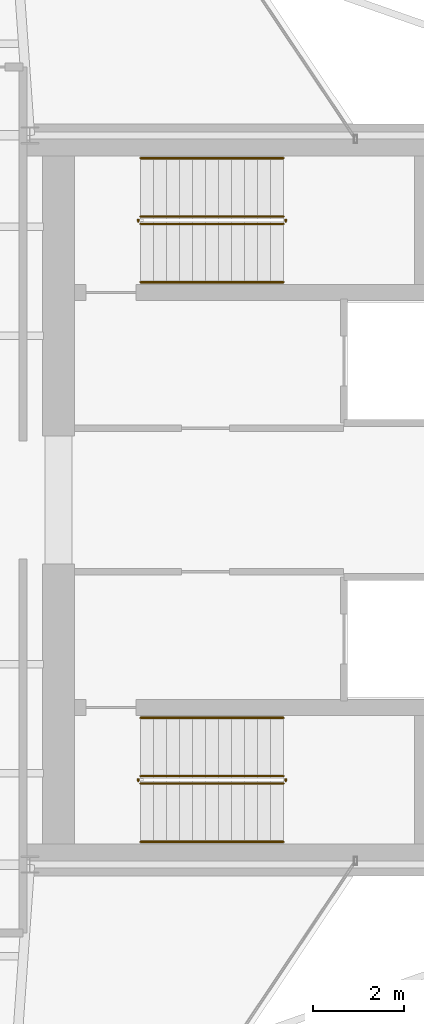
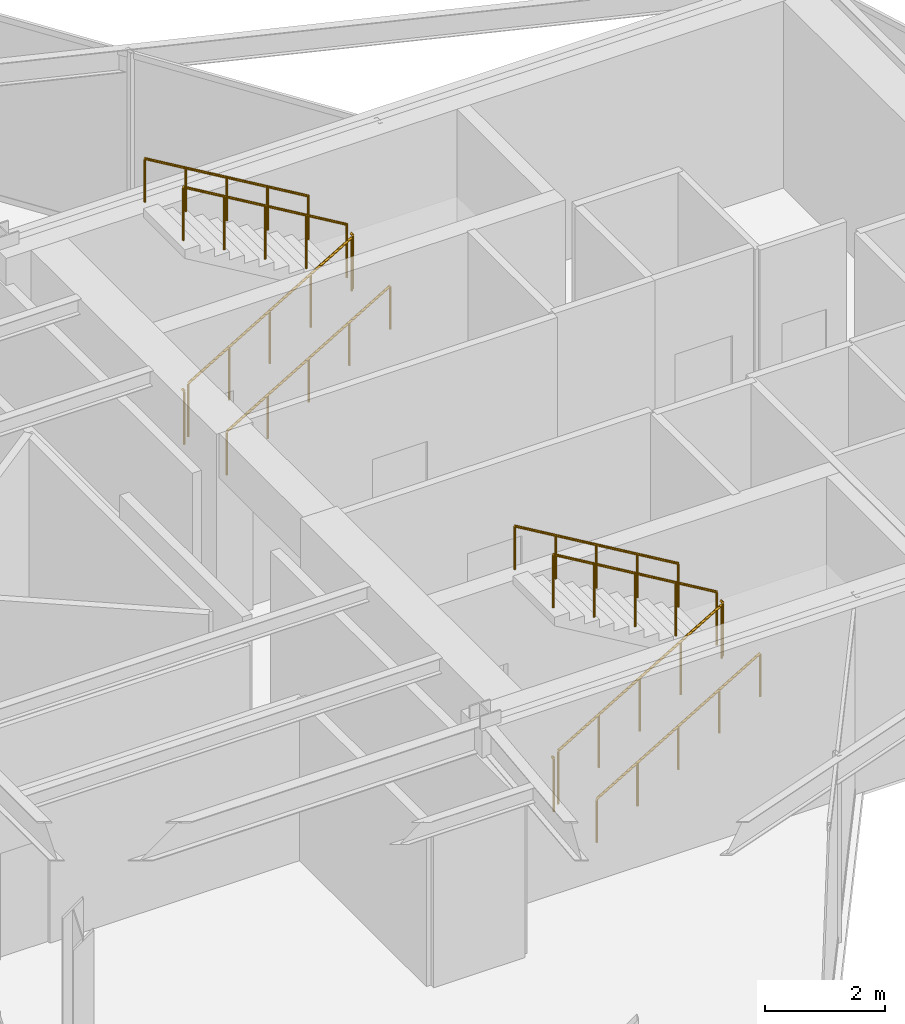
# One storey, part 22 of 22: 12 railings.
"""IFC4 building model written with IfcOpenShell, lengths in metres."""

from ifc_helpers import new_model, si_unit, direction, frame, origin, origin_2d, place, context, subcontext, project, spatial, circle, extrude, material, type_object, element, save


model = new_model("IFC4")

# Units and contexts
model_context = context("Model", 3, precision=1e-05, world=origin(), true_north=direction((0.0, 1.0)))
body_context = subcontext(model_context, "Body", "Model", "MODEL_VIEW")
ifc_project = project(units=[si_unit("LENGTHUNIT", "METRE"), si_unit("AREAUNIT", "SQUARE_METRE"), si_unit("VOLUMEUNIT", "CUBIC_METRE"), si_unit("PLANEANGLEUNIT", "RADIAN"), si_unit("MASSUNIT", "GRAM", prefix="KILO")], contexts=[model_context])

# Site, building, storey
site_placement = place(None, origin())
site = spatial("IfcSite", under=ifc_project, at=site_placement, CompositionType="ELEMENT")
building_placement = place(site_placement, origin())
building = spatial("IfcBuilding", under=site, at=building_placement, Name="Veymaron Broadcast Tower", CompositionType="ELEMENT")
storey_placement = place(building_placement, frame((0.0, 0.0, 204.0)))
storey = spatial("IfcBuildingStorey", under=building, at=storey_placement, Name="L47", CompositionType="ELEMENT", Elevation=204.0)

# Railings
ifc_material_1 = material(Name="Brushed stainless steel AISI 304", Category="steel")
railing_type_1 = type_object("IfcRailingType", Name="RAIL-STAIR-HR", PredefinedType="HANDRAIL", material=ifc_material_1)
railing_1_placement = place(storey_placement, frame((41.429931640625, 28.780029296875, 0.168701171875)))
element("IfcRailing", 1, at=railing_1_placement, inside=storey, type_object=railing_type_1, Name="L47 ST1 stair handrail 1", PredefinedType="HANDRAIL", context=body_context, shape_type="SweptSolid", body=[
    extrude(circle(Radius=0.02392578125, at=origin_2d()), frame((0.0, 0.0, 0.8759765625), z_axis=(0.860481960309, 0.0, 0.509480908359), x_axis=(0.0, 1.0, 0.0)), (0.0, 0.0, 1.0), 3.643310546875),
    extrude(circle(Radius=0.02099609375, at=origin_2d()), origin(), (0.0, 0.0, 1.0), 0.851806640625),
    extrude(circle(Radius=0.02099609375, at=origin_2d()), frame((0.78369140625, 0.0, 0.464111328125)), (0.0, 0.0, 1.0), 0.851806640625),
    extrude(circle(Radius=0.02099609375, at=origin_2d()), frame((1.5673828125, 0.0, 0.92822265625)), (0.0, 0.0, 1.0), 0.851806640625),
    extrude(circle(Radius=0.02099609375, at=origin_2d()), frame((2.351318359375, 0.0, 1.39208984375)), (0.0, 0.0, 1.0), 0.851806640625),
    extrude(circle(Radius=0.02099609375, at=origin_2d()), frame((3.135009765625, 0.0, 1.856201171875)), (0.0, 0.0, 1.0), 0.851806640625),
])
railing_2_placement = place(storey_placement, frame((44.56494140625, 31.5, 2.19384765625)))
element("IfcRailing", 2, at=railing_2_placement, inside=storey, type_object=railing_type_1, Name="L47 ST1 stair handrail 2", PredefinedType="HANDRAIL", context=body_context, shape_type="SweptSolid", body=[
    extrude(circle(Radius=0.02392578125, at=origin_2d()), frame((0.0, 0.0, 0.8759765625), z_axis=(-0.860481960309, 0.0, 0.509480908359), x_axis=(0.0, -1.0, 0.0)), (0.0, 0.0, 1.0), 3.643310546875),
    extrude(circle(Radius=0.02099609375, at=origin_2d()), origin(), (0.0, 0.0, 1.0), 0.851806640625),
    extrude(circle(Radius=0.02099609375, at=origin_2d()), frame((-0.78369140625, 0.0, 0.464111328125)), (0.0, 0.0, 1.0), 0.851806640625),
    extrude(circle(Radius=0.02099609375, at=origin_2d()), frame((-1.5673828125, 0.0, 0.92822265625)), (0.0, 0.0, 1.0), 0.851806640625),
    extrude(circle(Radius=0.02099609375, at=origin_2d()), frame((-2.351318359375, 0.0, 1.39208984375)), (0.0, 0.0, 1.0), 0.851806640625),
    extrude(circle(Radius=0.02099609375, at=origin_2d()), frame((-3.135009765625, 0.0, 1.856201171875)), (0.0, 0.0, 1.0), 0.851806640625),
])
railing_3_placement = place(storey_placement, frame((41.429931640625, 16.5, 0.168701171875)))
element("IfcRailing", 3, at=railing_3_placement, inside=storey, type_object=railing_type_1, Name="L47 ST2 stair handrail 1", PredefinedType="HANDRAIL", context=body_context, shape_type="SweptSolid", body=[
    extrude(circle(Radius=0.02392578125, at=origin_2d()), frame((0.0, 0.0, 0.8759765625), z_axis=(0.860481960309, 0.0, 0.509480908359), x_axis=(0.0, 1.0, 0.0)), (0.0, 0.0, 1.0), 3.643310546875),
    extrude(circle(Radius=0.02099609375, at=origin_2d()), origin(), (0.0, 0.0, 1.0), 0.851806640625),
    extrude(circle(Radius=0.02099609375, at=origin_2d()), frame((0.78369140625, 0.0, 0.464111328125)), (0.0, 0.0, 1.0), 0.851806640625),
    extrude(circle(Radius=0.02099609375, at=origin_2d()), frame((1.5673828125, 0.0, 0.92822265625)), (0.0, 0.0, 1.0), 0.851806640625),
    extrude(circle(Radius=0.02099609375, at=origin_2d()), frame((2.351318359375, 0.0, 1.39208984375)), (0.0, 0.0, 1.0), 0.851806640625),
    extrude(circle(Radius=0.02099609375, at=origin_2d()), frame((3.135009765625, 0.0, 1.856201171875)), (0.0, 0.0, 1.0), 0.851806640625),
])
railing_4_placement = place(storey_placement, frame((44.56494140625, 19.219970703125, 2.19384765625)))
element("IfcRailing", 4, at=railing_4_placement, inside=storey, type_object=railing_type_1, Name="L47 ST2 stair handrail 2", PredefinedType="HANDRAIL", context=body_context, shape_type="SweptSolid", body=[
    extrude(circle(Radius=0.02392578125, at=origin_2d()), frame((0.0, 0.0, 0.8759765625), z_axis=(-0.860481960309, 0.0, 0.509480908359), x_axis=(0.0, -1.0, 0.0)), (0.0, 0.0, 1.0), 3.643310546875),
    extrude(circle(Radius=0.02099609375, at=origin_2d()), origin(), (0.0, 0.0, 1.0), 0.851806640625),
    extrude(circle(Radius=0.02099609375, at=origin_2d()), frame((-0.78369140625, 0.0, 0.464111328125)), (0.0, 0.0, 1.0), 0.851806640625),
    extrude(circle(Radius=0.02099609375, at=origin_2d()), frame((-1.5673828125, 0.0, 0.92822265625)), (0.0, 0.0, 1.0), 0.851806640625),
    extrude(circle(Radius=0.02099609375, at=origin_2d()), frame((-2.351318359375, 0.0, 1.39208984375)), (0.0, 0.0, 1.0), 0.851806640625),
    extrude(circle(Radius=0.02099609375, at=origin_2d()), frame((-3.135009765625, 0.0, 1.856201171875)), (0.0, 0.0, 1.0), 0.851806640625),
])
ifc_material_2 = material(Name="Painted galvanized steel balustrade", Category="steel")
railing_type_2 = type_object("IfcRailingType", Name="RAIL-WELL-GRD", PredefinedType="GUARDRAIL", material=ifc_material_2)
railing_5_placement = place(storey_placement, frame((41.429931640625, 30.06005859375, 0.168701171875)))
element("IfcRailing", 5, at=railing_5_placement, inside=storey, type_object=railing_type_2, Name="L47 ST1 stair guard 1", PredefinedType="GUARDRAIL", context=body_context, shape_type="SweptSolid", body=[
    extrude(circle(Radius=0.02392578125, at=origin_2d()), frame((0.0, 0.0, 1.076171875), z_axis=(0.860481960309, 0.0, 0.509480908359), x_axis=(0.0, 1.0, 0.0)), (0.0, 0.0, 1.0), 3.643310546875),
    extrude(circle(Radius=0.02099609375, at=origin_2d()), origin(), (0.0, 0.0, 1.0), 1.052001953125),
    extrude(circle(Radius=0.02099609375, at=origin_2d()), frame((0.78369140625, 0.0, 0.464111328125)), (0.0, 0.0, 1.0), 1.052001953125),
    extrude(circle(Radius=0.02099609375, at=origin_2d()), frame((1.5673828125, 0.0, 0.92822265625)), (0.0, 0.0, 1.0), 1.052001953125),
    extrude(circle(Radius=0.02099609375, at=origin_2d()), frame((2.351318359375, 0.0, 1.39208984375)), (0.0, 0.0, 1.0), 1.052001953125),
    extrude(circle(Radius=0.02099609375, at=origin_2d()), frame((3.135009765625, 0.0, 1.856201171875)), (0.0, 0.0, 1.0), 1.052001953125),
])
railing_6_placement = place(storey_placement, frame((44.614990234375, 30.110107421875, 2.02490234375)))
element("IfcRailing", 6, at=railing_6_placement, inside=storey, type_object=railing_type_2, Name="L47 ST1 stair guard 2", PredefinedType="GUARDRAIL", context=body_context, shape_type="SweptSolid", body=[
    extrude(circle(Radius=0.02392578125, at=origin_2d()), frame((0.0, 0.0, 1.076171875), z_axis=(0.0, 1.0, 0.0), x_axis=(-1.0, 0.0, 0.0)), (0.0, 0.0, 1.0), 0.059814453125),
    extrude(circle(Radius=0.02099609375, at=origin_2d()), origin(), (0.0, 0.0, 1.0), 1.052001953125),
])
railing_7_placement = place(storey_placement, frame((44.56494140625, 30.219970703125, 2.19384765625)))
element("IfcRailing", 7, at=railing_7_placement, inside=storey, type_object=railing_type_2, Name="L47 ST1 stair guard 3", PredefinedType="GUARDRAIL", context=body_context, shape_type="SweptSolid", body=[
    extrude(circle(Radius=0.02392578125, at=origin_2d()), frame((0.0, 0.0, 1.076171875), z_axis=(-0.860481960309, 0.0, 0.509480908359), x_axis=(0.0, -1.0, 0.0)), (0.0, 0.0, 1.0), 3.643310546875),
    extrude(circle(Radius=0.02099609375, at=origin_2d()), origin(), (0.0, 0.0, 1.0), 1.052001953125),
    extrude(circle(Radius=0.02099609375, at=origin_2d()), frame((-0.78369140625, 0.0, 0.464111328125)), (0.0, 0.0, 1.0), 1.052001953125),
    extrude(circle(Radius=0.02099609375, at=origin_2d()), frame((-1.5673828125, 0.0, 0.92822265625)), (0.0, 0.0, 1.0), 1.052001953125),
    extrude(circle(Radius=0.02099609375, at=origin_2d()), frame((-2.351318359375, 0.0, 1.39208984375)), (0.0, 0.0, 1.0), 1.052001953125),
    extrude(circle(Radius=0.02099609375, at=origin_2d()), frame((-3.135009765625, 0.0, 1.856201171875)), (0.0, 0.0, 1.0), 1.052001953125),
])
railing_8_placement = place(storey_placement, frame((41.3798828125, 30.110107421875, 0.0)))
element("IfcRailing", 8, at=railing_8_placement, inside=storey, type_object=railing_type_2, Name="L47 ST1 stair guard 4", PredefinedType="GUARDRAIL", context=body_context, shape_type="SweptSolid", body=[
    extrude(circle(Radius=0.02392578125, at=origin_2d()), frame((0.0, 0.0, 1.076171875), z_axis=(0.0, 1.0, 0.0), x_axis=(-1.0, 0.0, 0.0)), (0.0, 0.0, 1.0), 0.059814453125),
    extrude(circle(Radius=0.02099609375, at=origin_2d()), origin(), (0.0, 0.0, 1.0), 1.052001953125),
])
railing_9_placement = place(storey_placement, frame((41.429931640625, 17.780029296875, 0.168701171875)))
element("IfcRailing", 9, at=railing_9_placement, inside=storey, type_object=railing_type_2, Name="L47 ST2 stair guard 1", PredefinedType="GUARDRAIL", context=body_context, shape_type="SweptSolid", body=[
    extrude(circle(Radius=0.02392578125, at=origin_2d()), frame((0.0, 0.0, 1.076171875), z_axis=(0.860481960309, 0.0, 0.509480908359), x_axis=(0.0, 1.0, 0.0)), (0.0, 0.0, 1.0), 3.643310546875),
    extrude(circle(Radius=0.02099609375, at=origin_2d()), origin(), (0.0, 0.0, 1.0), 1.052001953125),
    extrude(circle(Radius=0.02099609375, at=origin_2d()), frame((0.78369140625, 0.0, 0.464111328125)), (0.0, 0.0, 1.0), 1.052001953125),
    extrude(circle(Radius=0.02099609375, at=origin_2d()), frame((1.5673828125, 0.0, 0.92822265625)), (0.0, 0.0, 1.0), 1.052001953125),
    extrude(circle(Radius=0.02099609375, at=origin_2d()), frame((2.351318359375, 0.0, 1.39208984375)), (0.0, 0.0, 1.0), 1.052001953125),
    extrude(circle(Radius=0.02099609375, at=origin_2d()), frame((3.135009765625, 0.0, 1.856201171875)), (0.0, 0.0, 1.0), 1.052001953125),
])
railing_10_placement = place(storey_placement, frame((44.614990234375, 17.830078125, 2.02490234375)))
element("IfcRailing", 10, at=railing_10_placement, inside=storey, type_object=railing_type_2, Name="L47 ST2 stair guard 2", PredefinedType="GUARDRAIL", context=body_context, shape_type="SweptSolid", body=[
    extrude(circle(Radius=0.02392578125, at=origin_2d()), frame((0.0, 0.0, 1.076171875), z_axis=(0.0, 1.0, 0.0), x_axis=(-1.0, 0.0, 0.0)), (0.0, 0.0, 1.0), 0.059814453125),
    extrude(circle(Radius=0.02099609375, at=origin_2d()), origin(), (0.0, 0.0, 1.0), 1.052001953125),
])
railing_11_placement = place(storey_placement, frame((44.56494140625, 17.93994140625, 2.19384765625)))
element("IfcRailing", 11, at=railing_11_placement, inside=storey, type_object=railing_type_2, Name="L47 ST2 stair guard 3", PredefinedType="GUARDRAIL", context=body_context, shape_type="SweptSolid", body=[
    extrude(circle(Radius=0.02392578125, at=origin_2d()), frame((0.0, 0.0, 1.076171875), z_axis=(-0.860481960309, 0.0, 0.509480908359), x_axis=(0.0, -1.0, 0.0)), (0.0, 0.0, 1.0), 3.643310546875),
    extrude(circle(Radius=0.02099609375, at=origin_2d()), origin(), (0.0, 0.0, 1.0), 1.052001953125),
    extrude(circle(Radius=0.02099609375, at=origin_2d()), frame((-0.78369140625, 0.0, 0.464111328125)), (0.0, 0.0, 1.0), 1.052001953125),
    extrude(circle(Radius=0.02099609375, at=origin_2d()), frame((-1.5673828125, 0.0, 0.92822265625)), (0.0, 0.0, 1.0), 1.052001953125),
    extrude(circle(Radius=0.02099609375, at=origin_2d()), frame((-2.351318359375, 0.0, 1.39208984375)), (0.0, 0.0, 1.0), 1.052001953125),
    extrude(circle(Radius=0.02099609375, at=origin_2d()), frame((-3.135009765625, 0.0, 1.856201171875)), (0.0, 0.0, 1.0), 1.052001953125),
])
railing_12_placement = place(storey_placement, frame((41.3798828125, 17.830078125, 0.0)))
element("IfcRailing", 12, at=railing_12_placement, inside=storey, type_object=railing_type_2, Name="L47 ST2 stair guard 4", PredefinedType="GUARDRAIL", context=body_context, shape_type="SweptSolid", body=[
    extrude(circle(Radius=0.02392578125, at=origin_2d()), frame((0.0, 0.0, 1.076171875), z_axis=(0.0, 1.0, 0.0), x_axis=(-1.0, 0.0, 0.0)), (0.0, 0.0, 1.0), 0.059814453125),
    extrude(circle(Radius=0.02099609375, at=origin_2d()), origin(), (0.0, 0.0, 1.0), 1.052001953125),
])

save(model, "model.ifc")
